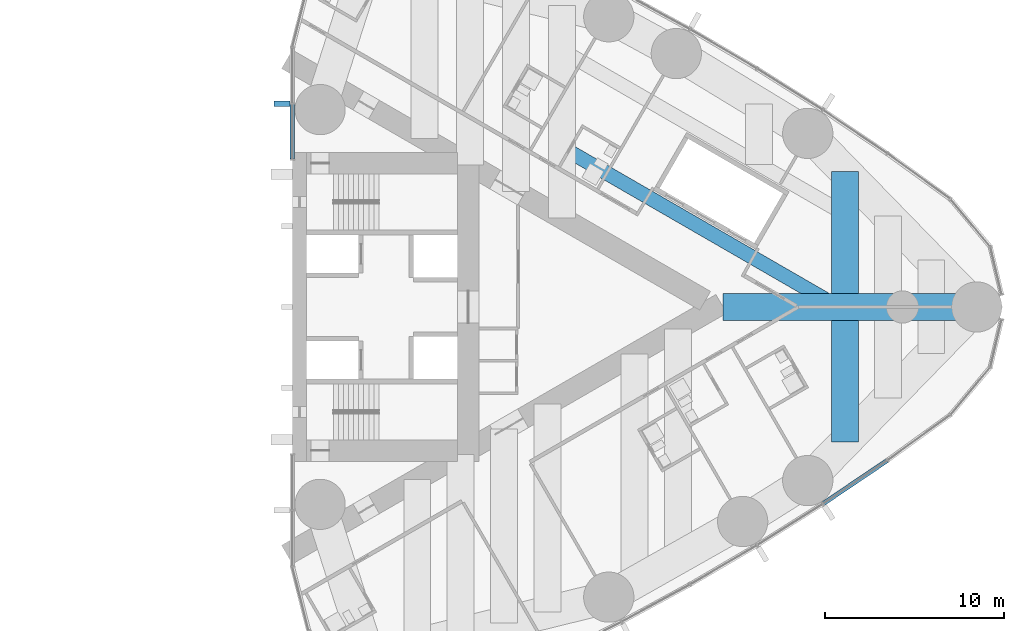
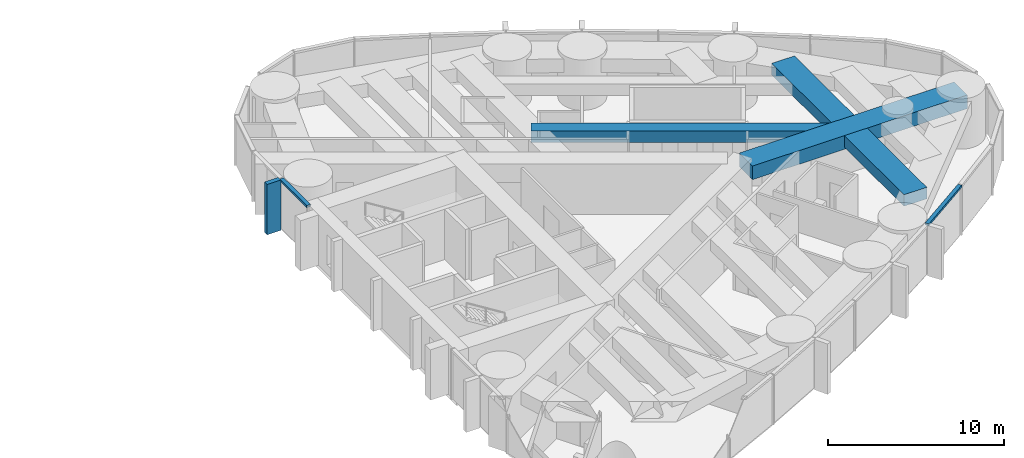
# One storey, part 7 of 18: 4 beams, 3 members, 2 elements without a shape of their own.
"""IFC4 building model written with IfcOpenShell, lengths in metres."""

from ifc_helpers import new_model, si_unit, direction, frame, origin, origin_2d, place, context, subcontext, project, spatial, rectangle, hollow_rectangle, extrude, material, material_profile, profile_set, type_object, element, aggregate, save


model = new_model("IFC4")

# Units and contexts
model_context = context("Model", 3, precision=1e-05, world=origin(), true_north=direction((0.0, 1.0)))
body_context = subcontext(model_context, "Body", "Model", "MODEL_VIEW")
ifc_project = project(units=[si_unit("LENGTHUNIT", "METRE"), si_unit("AREAUNIT", "SQUARE_METRE"), si_unit("VOLUMEUNIT", "CUBIC_METRE"), si_unit("PLANEANGLEUNIT", "RADIAN"), si_unit("MASSUNIT", "GRAM", prefix="KILO")], contexts=[model_context])

# Site, building, storey
site_placement = place(None, origin())
site = spatial("IfcSite", under=ifc_project, at=site_placement, CompositionType="ELEMENT")
building_placement = place(site_placement, origin())
building = spatial("IfcBuilding", under=site, at=building_placement, Name="Lancet Gate Hotel", CompositionType="ELEMENT")
storey_placement = place(building_placement, frame((0.0, 0.0, 166.800048828125)))
storey = spatial("IfcBuildingStorey", under=building, at=storey_placement, Name="L44", CompositionType="ELEMENT", Elevation=166.800048828125)

# Curtain wall, member
ifc_material_1 = material(Name="Aluminium curtain wall", Category="aluminium")
curtain_wall_type = type_object("IfcCurtainWallType", Name="Tower unitised curtain wall", PredefinedType="USERDEFINED", material=ifc_material_1)
curtain_wall_1_placement = place(storey_placement, origin())
curtain_wall_1 = element("IfcCurtainWall", 1, at=curtain_wall_1_placement, inside=storey, type_object=curtain_wall_type, Name="T2 L44 curtain wall 2", ObjectType="UNITISED CURTAIN WALL", PredefinedType="USERDEFINED")
ifc_material_2 = material(Name="Aluminium transom", Category="aluminium")
ifc_material_profile_1 = material_profile(ifc_material_2, rectangle(XDim=0.25, YDim=0.14990234375, at=origin_2d()), Name="TRANSOM 250x150")
ifc_profile_set_1 = profile_set([ifc_material_profile_1], Name="Aluminium transom")
member_type_1 = type_object("IfcMemberType", Name="Aluminium transom 250x150", PredefinedType="USERDEFINED", material=ifc_profile_set_1)
member_1_placement = place(storey_placement, frame((57.093994140625, -10.952880859375, 3.425048828125), z_axis=(0.829046850689, 0.559179147826, 0.0), x_axis=(-0.559179147826, 0.829046850689, 0.0)))
member_1 = element("IfcMember", 2, at=member_1_placement, type_object=member_type_1, Name="T2 L44 curtain wall 2 transom 8", ObjectType="TRANSOM", PredefinedType="USERDEFINED", context=body_context, shape_type="SweptSolid", body=[
    extrude(rectangle(XDim=0.25, YDim=0.14990234375, at=origin_2d()), origin(), (0.0, 0.0, 1.0), 4.26904296875),
])
aggregate(curtain_wall_1, [member_1])

# Curtain wall, members
curtain_wall_2_placement = place(storey_placement, origin())
curtain_wall_2 = element("IfcCurtainWall", 3, at=curtain_wall_2_placement, inside=storey, type_object=curtain_wall_type, Name="T2 L44 curtain wall 4", ObjectType="UNITISED CURTAIN WALL", PredefinedType="USERDEFINED")
member_2_placement = place(storey_placement, frame((27.5, 11.30029296875, 3.425048828125), z_axis=(0.0, -1.0, 0.0), x_axis=(1.0, 0.0, 0.0)))
member_2 = element("IfcMember", 4, at=member_2_placement, type_object=member_type_1, Name="T2 L44 curtain wall 4 transom 4", ObjectType="TRANSOM", PredefinedType="USERDEFINED", context=body_context, shape_type="SweptSolid", body=[
    extrude(rectangle(XDim=0.25, YDim=0.14990234375, at=origin_2d()), origin(), (0.0, 0.0, 1.0), 3.06787109375),
])
ifc_material_3 = material(Name="Precast concrete C50/60", Category="concrete")
ifc_material_profile_2 = material_profile(ifc_material_3, rectangle(XDim=0.300048828125, YDim=0.89990234375, at=origin_2d()), Name="FIN 300x900")
ifc_profile_set_2 = profile_set([ifc_material_profile_2], Name="Precast concrete C50/60")
member_type_2 = type_object("IfcMemberType", Name="Exposed concrete fin 300x900", PredefinedType="USERDEFINED", material=ifc_profile_set_2)
member_3_placement = place(storey_placement, frame((26.925048828125, 11.332763671875, 0.0), z_axis=(0.0, 0.0, 1.0), x_axis=(0.0, -1.0, 0.0)))
member_3 = element("IfcMember", 5, at=member_3_placement, type_object=member_type_2, Name="T2 L44 curtain wall 4 fin 4", ObjectType="FIN", PredefinedType="USERDEFINED", context=body_context, shape_type="SweptSolid", body=[
    extrude(rectangle(XDim=0.300048828125, YDim=0.89990234375, at=origin_2d()), origin(), (0.0, 0.0, 1.0), 3.5),
])
aggregate(curtain_wall_2, [member_3, member_2])

# Beams
ifc_material_4 = material(Name="Concrete C50/60", Category="concrete")
ifc_material_profile_3 = material_profile(ifc_material_4, rectangle(XDim=1.5, YDim=0.800048828125, at=origin_2d()), Name="RC 1500x800")
ifc_profile_set_3 = profile_set([ifc_material_profile_3], Name="Concrete C50/60")
beam_type_1 = type_object("IfcBeamType", Name="Floor beam RC 1500x800", PredefinedType="BEAM", material=ifc_profile_set_3)
for number, where, z_axis, x_axis, name in (
    (6, (58.30224609375, -7.534912109375, 2.849853515625), (0.0, 1.0, 0.0), (-1.0, 0.0, 0.0), "T2 floor beam F12S L44"),
    (7, (58.30224609375, 0.75, 2.849853515625), (0.0, 1.0, 0.0), (-1.0, 0.0, 0.0), "T2 floor beam F13N L44"),
):
    element("IfcBeam", number, at=place(storey_placement, frame(where, z_axis=z_axis, x_axis=x_axis)), inside=storey, type_object=beam_type_1, Name=name, PredefinedType="BEAM", context=body_context, shape_type="SweptSolid", body=[
        extrude(rectangle(XDim=1.5, YDim=0.800048828125, at=origin_2d()), origin(), (0.0, 0.0, 1.0), 6.784912109375),
    ])
ifc_material_5 = material(Name="Concrete C50/60", Category="concrete")
ifc_material_profile_4 = material_profile(ifc_material_5, rectangle(XDim=1.5, YDim=0.949951171875, at=origin_2d()), Name="RC 1500x950")
ifc_profile_set_4 = profile_set([ifc_material_profile_4], Name="Concrete C50/60")
beam_type_2 = type_object("IfcBeamType", Name="Radial floor beam RC 1500x950", PredefinedType="BEAM", material=ifc_profile_set_4)
beam_1_placement = place(storey_placement, frame((65.6396484375, 0.0, 2.77490234375), z_axis=(-1.0, 0.0, 0.0), x_axis=(0.0, -1.0, 0.0)))
element("IfcBeam", 8, at=beam_1_placement, inside=storey, type_object=beam_type_2, Name="T2 radial beam CA L44", PredefinedType="BEAM", context=body_context, shape_type="SweptSolid", body=[
    extrude(rectangle(XDim=1.5, YDim=0.949951171875, at=origin_2d()), origin(), (0.0, 0.0, 1.0), 14.137451171875),
])
ifc_material_6 = material(Name="Steel S460QL", Category="steel")
ifc_material_profile_5 = material_profile(ifc_material_6, hollow_rectangle(XDim=0.800048828125, YDim=0.800048828125, WallThickness=0.080078125, at=origin_2d()), Name="BOX 800x800x80")
ifc_profile_set_5 = profile_set([ifc_material_profile_5], Name="Steel S460QL")
beam_type_3 = type_object("IfcBeamType", Name="Trimmer beam BOX 800x800x80", PredefinedType="BEAM", material=ifc_profile_set_5)
beam_2_placement = place(storey_placement, frame((42.51904296875, 8.90185546875, 2.849853515625), z_axis=(0.865994419471, -0.500053662566, 0.0), x_axis=(0.500053662566, 0.865994419471, 0.0)))
element("IfcBeam", 9, at=beam_2_placement, inside=storey, type_object=beam_type_3, Name="T2 trimmer beam TR02N L44", PredefinedType="BEAM", context=body_context, shape_type="SweptSolid", body=[
    extrude(hollow_rectangle(XDim=0.800048828125, YDim=0.800048828125, WallThickness=0.080078125, at=origin_2d()), origin(), (0.0, 0.0, 1.0), 17.8017578125),
])

save(model, "model.ifc")
